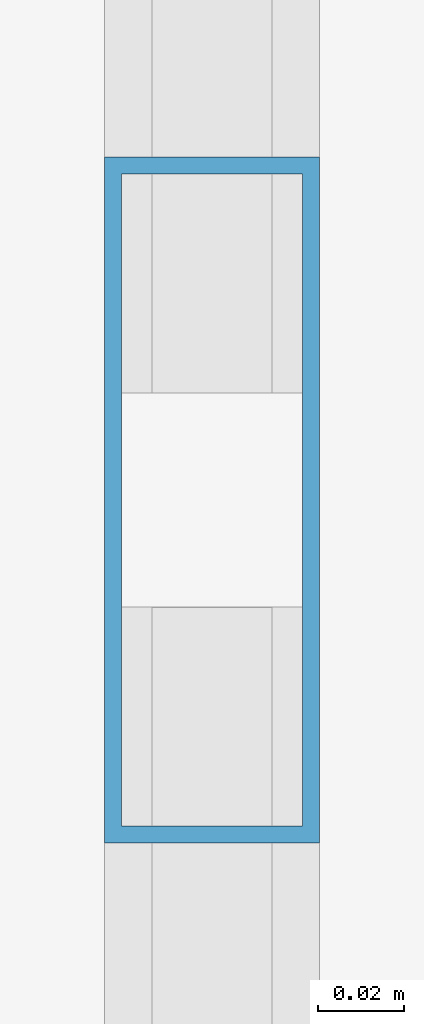
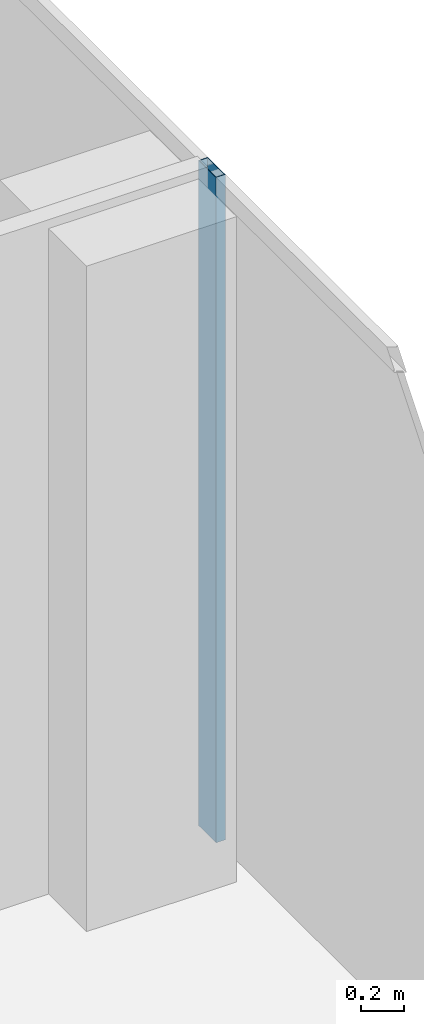
# One storey, part 12 of 29: 1 member, 1 element without a shape of its own.
"""IFC4 building model written with IfcOpenShell, lengths in metres."""

from ifc_helpers import new_model, si_unit, direction, frame, origin, origin_2d, place, context, subcontext, project, spatial, hollow_rectangle, extrude, source, transform, mapped, material, material_profile, profile_set, type_object, element, aggregate, save


model = new_model("IFC4")

# Units and contexts
model_context = context("Model", 3, precision=1e-05, world=origin(), true_north=direction((0.0, 1.0)))
body_context = subcontext(model_context, "Body", "Model", "MODEL_VIEW")
ifc_project = project(units=[si_unit("LENGTHUNIT", "METRE"), si_unit("AREAUNIT", "SQUARE_METRE"), si_unit("VOLUMEUNIT", "CUBIC_METRE"), si_unit("PLANEANGLEUNIT", "RADIAN"), si_unit("MASSUNIT", "GRAM", prefix="KILO")], contexts=[model_context])

# Site, building, storey
site_placement = place(None, origin())
site = spatial("IfcSite", under=ifc_project, at=site_placement, CompositionType="ELEMENT")
building_placement = place(site_placement, origin())
building = spatial("IfcBuilding", under=site, at=building_placement, Name="Khomas Fold Tower", CompositionType="ELEMENT")
storey_placement = place(building_placement, frame((0.0, 0.0, 286.199951171875)))
storey = spatial("IfcBuildingStorey", under=building, at=storey_placement, Name="L64", CompositionType="ELEMENT", Elevation=286.199951171875)

# Curtain wall, member
ifc_material_1 = material(Name="Aluminium framed double glazing", Category="aluminium")
curtain_wall_type = type_object("IfcCurtainWallType", Name="SK-Unitised clear-glass wall, upper floors CW3", PredefinedType="NOTDEFINED", material=ifc_material_1)
curtain_wall_placement = place(storey_placement, origin())
curtain_wall = element("IfcCurtainWall", 1, at=curtain_wall_placement, inside=storey, type_object=curtain_wall_type, Name="CW3 run L64 03-1", PredefinedType="NOTDEFINED")
ifc_material_2 = material(Name="Aluminium", Category="aluminium")
ifc_material_profile = material_profile(ifc_material_2, hollow_rectangle(XDim=0.050048828125, YDim=0.159912109375, WallThickness=0.00390625, at=origin_2d()), Name="SK-Unitised clear-glass wall, upper floors mullion CW3-M")
ifc_profile_set = profile_set([ifc_material_profile], Name="Aluminium")
member_type = type_object("IfcMemberType", Name="SK-Unitised clear-glass wall, upper floors mullion CW3-M", PredefinedType="MULLION", material=ifc_profile_set)
shared_shape = source(origin(), body_context, "Body", "SweptSolid", [
    extrude(hollow_rectangle(XDim=0.050048828125, YDim=0.159912109375, WallThickness=0.00390625, at=origin_2d()), origin(), (0.0, 0.0, 1.0), 3.75),
])
member_placement = place(storey_placement, frame((47.89990234375, 34.5, 0.0), z_axis=(0.0, 0.0, 1.0), x_axis=(-1.0, 0.0, 0.0)))
member = element("IfcMember", 2, at=member_placement, type_object=member_type, Name="CW3 mullion 3", PredefinedType="MULLION", context=body_context, shape_type="MappedRepresentation", body=[
    mapped(shared_shape, transform((0.0, 0.0, 0.0))),
])
aggregate(curtain_wall, [member])

save(model, "model.ifc")
